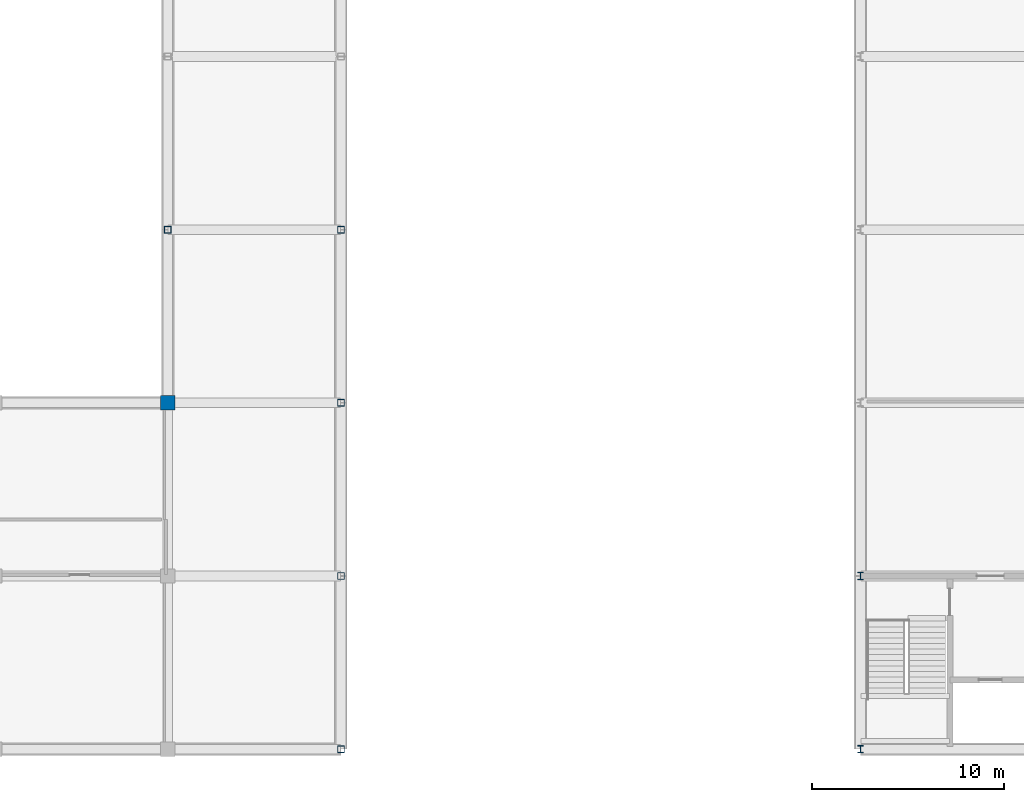
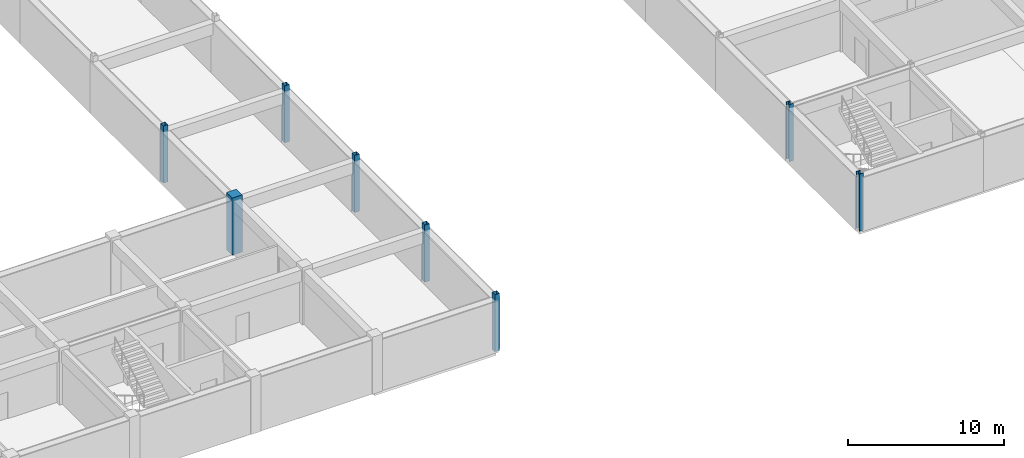
# One storey, part 2 of 35: 8 columns.
"""IFC4 building model written with IfcOpenShell, lengths in metres."""

from ifc_helpers import new_model, si_unit, direction, frame, origin, origin_2d, place, context, subcontext, project, spatial, rectangle, hollow_rectangle, i_section, extrude, material, material_profile, profile_set, type_object, element, save


model = new_model("IFC4")

# Units and contexts
model_context = context("Model", 3, precision=1e-05, world=origin(), true_north=direction((0.0, 1.0)))
body_context = subcontext(model_context, "Body", "Model", "MODEL_VIEW")
ifc_project = project(units=[si_unit("LENGTHUNIT", "METRE"), si_unit("AREAUNIT", "SQUARE_METRE"), si_unit("VOLUMEUNIT", "CUBIC_METRE"), si_unit("PLANEANGLEUNIT", "RADIAN"), si_unit("MASSUNIT", "GRAM", prefix="KILO")], contexts=[model_context])

# Site, building, storey
site_placement = place(None, origin())
site = spatial("IfcSite", under=ifc_project, at=site_placement, CompositionType="ELEMENT")
building_placement = place(site_placement, origin())
building = spatial("IfcBuilding", under=site, at=building_placement, Name="Palais des Congres Ocreval", CompositionType="ELEMENT")
storey_placement = place(building_placement, frame((0.0, 0.0, -4.47998046875)))
storey = spatial("IfcBuildingStorey", under=building, at=storey_placement, Name="B1", CompositionType="ELEMENT", Elevation=-4.47998046875)

# Columns
ifc_material_1 = material(Name="Steel S355", Category="steel")
ifc_material_profile_1 = material_profile(ifc_material_1, i_section(OverallWidth=0.30810546875, OverallDepth=0.39501953125, WebThickness=0.02099609375, FlangeThickness=0.0400390625, at=origin_2d()), Name="HEM 360")
ifc_profile_set_1 = profile_set([ifc_material_profile_1], Name="Steel S355")
column_type_1 = type_object("IfcColumnType", Name="Column HEM 360 Steel S355", PredefinedType="COLUMN", material=ifc_profile_set_1)
for number, where, z_axis, x_axis, name in (
    (1, (108.0, 0.0, 0.0), (0.0, 0.0, 1.0), (1.0, 0.0, 0.0), "Column C07 B1"),
    (2, (108.0, 9.0, 0.0), (0.0, 0.0, 1.0), (1.0, 0.0, 0.0), "Column C07 B1"),
):
    element("IfcColumn", number, at=place(storey_placement, frame(where, z_axis=z_axis, x_axis=x_axis)), inside=storey, type_object=column_type_1, Name=name, PredefinedType="COLUMN", context=body_context, shape_type="SweptSolid", body=[
        extrude(i_section(OverallWidth=0.30810546875, OverallDepth=0.39501953125, WebThickness=0.02099609375, FlangeThickness=0.0400390625, at=origin_2d()), origin(), (0.0, 0.0, 1.0), 4.47998046875),
    ])
ifc_material_2 = material(Name="Concrete C40/50", Category="concrete")
ifc_material_profile_2 = material_profile(ifc_material_2, rectangle(XDim=0.75, YDim=0.75, at=origin_2d()), Name="RC 750x750")
ifc_profile_set_2 = profile_set([ifc_material_profile_2], Name="Concrete C40/50")
column_type_2 = type_object("IfcColumnType", Name="Column RC 750x750 Concrete C40/50", PredefinedType="COLUMN", material=ifc_profile_set_2)
column_placement = place(storey_placement, frame((72.0, 18.0, 0.0), z_axis=(0.0, 0.0, 1.0), x_axis=(1.0, 0.0, 0.0)))
element("IfcColumn", 3, at=column_placement, inside=storey, type_object=column_type_2, Name="Column C22 B1", PredefinedType="COLUMN", context=body_context, shape_type="SweptSolid", body=[
    extrude(rectangle(XDim=0.75, YDim=0.75, at=origin_2d()), origin(), (0.0, 0.0, 1.0), 4.47998046875),
])
ifc_material_profile_3 = material_profile(ifc_material_1, hollow_rectangle(XDim=0.35009765625, YDim=0.35009765625, WallThickness=0.01611328125, at=origin_2d()), Name="RHS 350x350x16")
ifc_profile_set_3 = profile_set([ifc_material_profile_3], Name="Steel S355")
column_type_3 = type_object("IfcColumnType", Name="Column RHS 350x350x16 Steel S355", PredefinedType="COLUMN", material=ifc_profile_set_3)
for number, where, z_axis, x_axis, name in (
    (4, (72.0, 27.0, 0.0), (0.0, 0.0, 1.0), (1.0, 0.0, 0.0), "Column C18 B1"),
    (5, (81.0, 0.0, 0.0), (0.0, 0.0, 1.0), (1.0, 0.0, 0.0), "Column C18 B1"),
    (6, (81.0, 9.0, 0.0), (0.0, 0.0, 1.0), (1.0, 0.0, 0.0), "Column C18 B1"),
    (7, (81.0, 18.0, 0.0), (0.0, 0.0, 1.0), (1.0, 0.0, 0.0), "Column C18 B1"),
    (8, (81.0, 27.0, 0.0), (0.0, 0.0, 1.0), (1.0, 0.0, 0.0), "Column C18 B1"),
):
    element("IfcColumn", number, at=place(storey_placement, frame(where, z_axis=z_axis, x_axis=x_axis)), inside=storey, type_object=column_type_3, Name=name, PredefinedType="COLUMN", context=body_context, shape_type="SweptSolid", body=[
        extrude(hollow_rectangle(XDim=0.35009765625, YDim=0.35009765625, WallThickness=0.01611328125, at=origin_2d()), origin(), (0.0, 0.0, 1.0), 4.47998046875),
    ])

save(model, "model.ifc")
